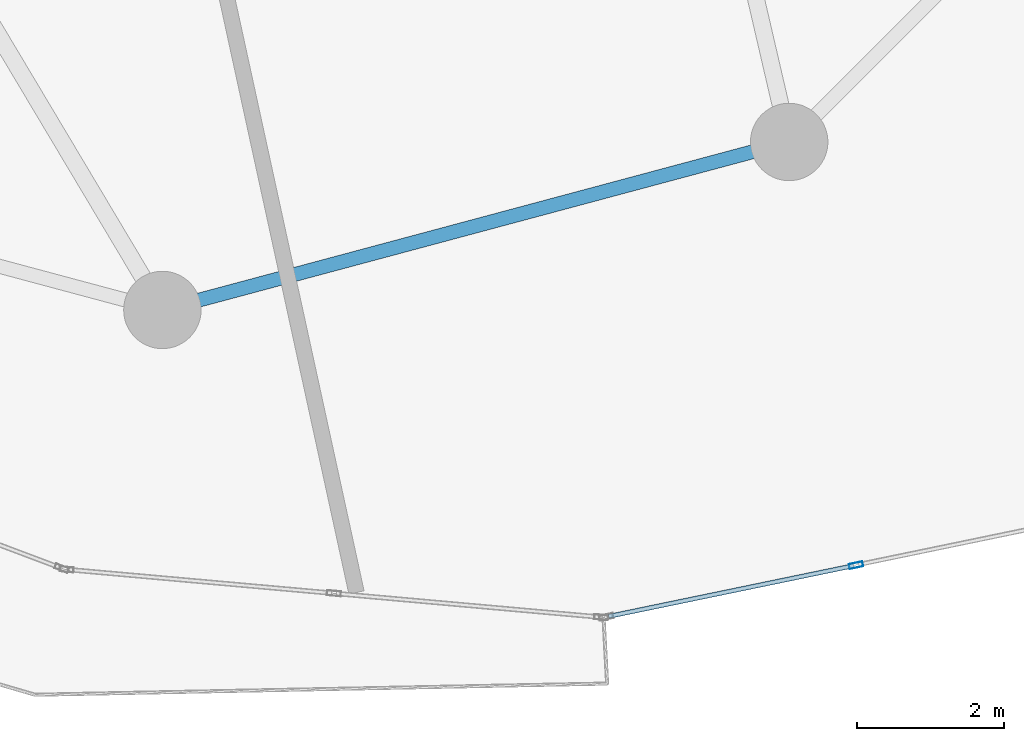
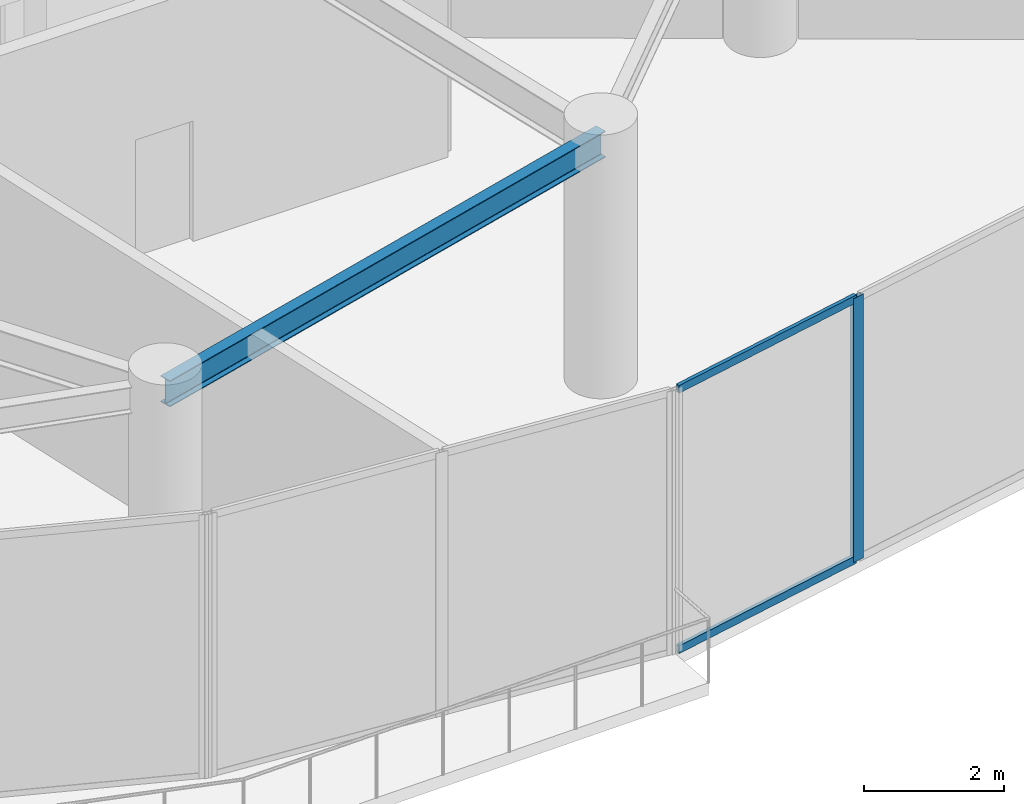
# One storey, part 5 of 28: 3 members, 1 beam, 1 element without a shape of its own.
"""IFC4 building model written with IfcOpenShell, lengths in metres."""

from ifc_helpers import new_model, si_unit, direction, frame, origin, origin_2d, place, context, subcontext, project, spatial, hollow_rectangle, i_section, extrude, source, transform, mapped, material, layer, layer_set, material_profile, profile_set, type_object, element, aggregate, save


model = new_model("IFC4")

# Units and contexts
model_context = context("Model", 3, precision=1e-05, world=origin(), true_north=direction((0.0, 1.0)))
body_context = subcontext(model_context, "Body", "Model", "MODEL_VIEW")
ifc_project = project(units=[si_unit("LENGTHUNIT", "METRE"), si_unit("AREAUNIT", "SQUARE_METRE"), si_unit("VOLUMEUNIT", "CUBIC_METRE"), si_unit("PLANEANGLEUNIT", "RADIAN"), si_unit("MASSUNIT", "GRAM", prefix="KILO")], contexts=[model_context])

# Site, building, storey
site_placement = place(None, origin())
site = spatial("IfcSite", under=ifc_project, at=site_placement, CompositionType="ELEMENT")
building_placement = place(site_placement, origin())
building = spatial("IfcBuilding", under=site, at=building_placement, Name="Solvirekh Grand Hotel", CompositionType="ELEMENT")
storey_placement = place(building_placement, frame((0.0, 0.0, 98.0)))
storey = spatial("IfcBuildingStorey", under=building, at=storey_placement, Name="L24", CompositionType="ELEMENT", Elevation=98.0)

# Beam
ifc_material_1 = material(Name="Steel S355", Category="steel")
ifc_material_profile_1 = material_profile(ifc_material_1, i_section(OverallWidth=0.18994140625, OverallDepth=0.45703125, WebThickness=0.009033203125, FlangeThickness=0.013916015625, FilletRadius=0.012939453125, at=origin_2d()), Name="W460X74")
ifc_profile_set_1 = profile_set([ifc_material_profile_1], Name="Steel S355")
beam_type = type_object("IfcBeamType", Name="Spandrel_Ring_W460", PredefinedType="SPANDREL", material=ifc_profile_set_1)
beam_placement = place(storey_placement, frame((0.0, -17.0, 4.12109375), z_axis=(0.965911391906, 0.258872908946, 0.0), x_axis=(-0.258872908946, 0.965911391906, 0.0)))
element("IfcBeam", 1, at=beam_placement, inside=storey, type_object=beam_type, Name="L24 perimeter spandrel beam 10", PredefinedType="SPANDREL", context=body_context, shape_type="SweptSolid", body=[
    extrude(i_section(OverallWidth=0.18994140625, OverallDepth=0.45703125, WebThickness=0.009033203125, FlangeThickness=0.013916015625, FilletRadius=0.012939453125, at=origin_2d()), origin(), (0.0, 0.0, 1.0), 8.800048828125),
])

# Curtain wall, members
ifc_material_2 = material(Name="Anodized Bronze Aluminium 6063-T6", Category="aluminium")
ifc_layer = layer(ifc_material_2, 0.18994140625)
ifc_layer_set = layer_set([ifc_layer], Name="Anodized Bronze Aluminium 6063-T6")
curtain_wall_type = type_object("IfcCurtainWallType", Name="CW_Sys5_SkyLobbyPanoramaCW", PredefinedType="NOTDEFINED", material=ifc_layer_set)
curtain_wall_placement = place(storey_placement, origin())
curtain_wall = element("IfcCurtainWall", 2, at=curtain_wall_placement, inside=storey, type_object=curtain_wall_type, Name="L24 unitised bronze-glass curtain wall CW-L24-C18", PredefinedType="NOTDEFINED")
ifc_material_profile_2 = material_profile(ifc_material_2, hollow_rectangle(XDim=0.070068359375, YDim=0.18994140625, WallThickness=0.0048828125, at=origin_2d()), Name="ALU RHS 190X70X5")
ifc_profile_set_2 = profile_set([ifc_material_profile_2], Name="Anodized Bronze Aluminium 6063-T6")
member_type_1 = type_object("IfcMemberType", Name="CWMullion_Sys5", PredefinedType="MULLION", material=ifc_profile_set_2)
shared_shape_1 = source(origin(), body_context, "Body", "SweptSolid", [
    extrude(hollow_rectangle(XDim=0.070068359375, YDim=0.18994140625, WallThickness=0.0048828125, at=origin_2d()), origin(), (0.0, 0.0, 1.0), 4.60009765625),
])
member_1_placement = place(storey_placement, frame((9.406982421875, -20.46142578125, 0.0), z_axis=(0.0, 0.0, 1.0), x_axis=(-0.202742807709, 0.979232022517, 0.0)))
member_1 = element("IfcMember", 3, at=member_1_placement, type_object=member_type_1, Name="U05 mullion 2", PredefinedType="MULLION", context=body_context, shape_type="MappedRepresentation", body=[
    mapped(shared_shape_1, transform((0.0, 0.0, 0.0), x_axis=(1.0, 0.0, 0.0), y_axis=(0.0, 1.0, 0.0), z_axis=(0.0, 0.0, 1.0), scale=1.0)),
])
ifc_material_profile_3 = material_profile(ifc_material_2, hollow_rectangle(XDim=0.06005859375, YDim=0.135009765625, WallThickness=0.00390625, at=origin_2d()), Name="ALU RHS 135X60X4")
ifc_profile_set_3 = profile_set([ifc_material_profile_3], Name="Anodized Bronze Aluminium 6063-T6")
member_type_2 = type_object("IfcMemberType", Name="CWTransom_Sys5", PredefinedType="USERDEFINED", material=ifc_profile_set_3)
shared_shape_2 = source(origin(), body_context, "Body", "SweptSolid", [
    extrude(hollow_rectangle(XDim=0.06005859375, YDim=0.135009765625, WallThickness=0.00390625, at=origin_2d()), origin(), (0.0, 0.0, 1.0), 3.3896484375),
])
member_2_placement = place(storey_placement, frame((6.053466796875, -21.15576171875, 0.030029296875), z_axis=(0.979231337231, 0.202746117557, 0.0), x_axis=(-0.202746117557, 0.979231337231, 0.0)))
member_2 = element("IfcMember", 4, at=member_2_placement, type_object=member_type_2, Name="U05 transom 1.1", ObjectType="TRANSOM", PredefinedType="USERDEFINED", context=body_context, shape_type="MappedRepresentation", body=[
    mapped(shared_shape_2, transform((0.0, 0.0, 0.0), x_axis=(1.0, 0.0, 0.0), y_axis=(0.0, 1.0, 0.0), z_axis=(0.0, 0.0, 1.0), scale=1.0)),
])
member_3_placement = place(storey_placement, frame((6.053466796875, -21.15576171875, 4.570068359375), z_axis=(0.979231337231, 0.202746117557, 0.0), x_axis=(-0.202746117557, 0.979231337231, 0.0)))
member_3 = element("IfcMember", 5, at=member_3_placement, type_object=member_type_2, Name="U05 transom 1.2", ObjectType="TRANSOM", PredefinedType="USERDEFINED", context=body_context, shape_type="MappedRepresentation", body=[
    mapped(shared_shape_2, transform((0.0, 0.0, 0.0), x_axis=(1.0, 0.0, 0.0), y_axis=(0.0, 1.0, 0.0), z_axis=(0.0, 0.0, 1.0), scale=1.0)),
])
aggregate(curtain_wall, [member_1, member_2, member_3])

save(model, "model.ifc")
